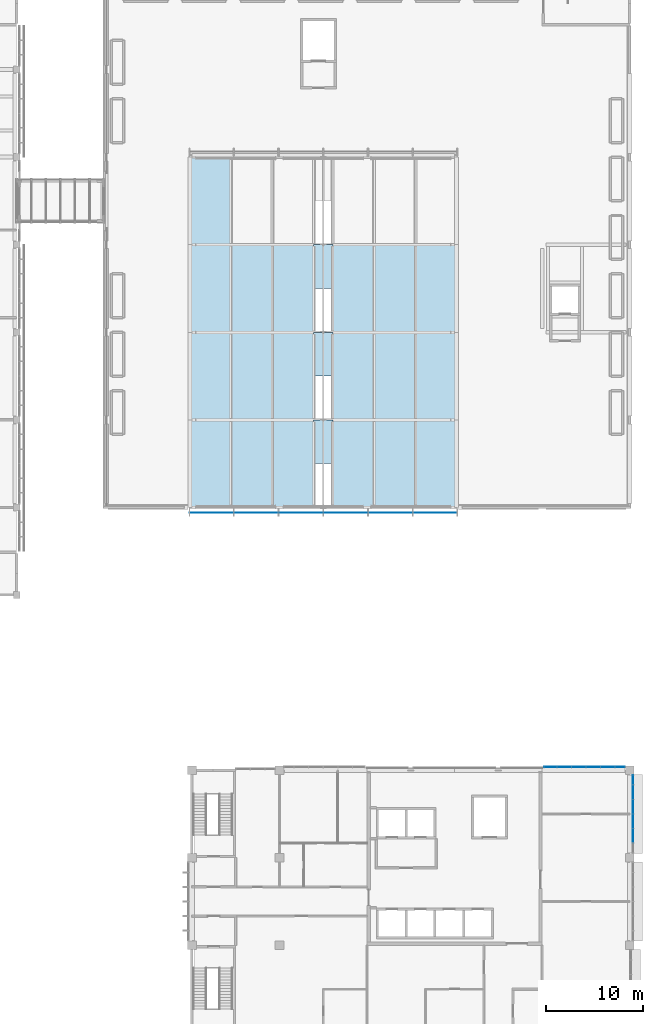
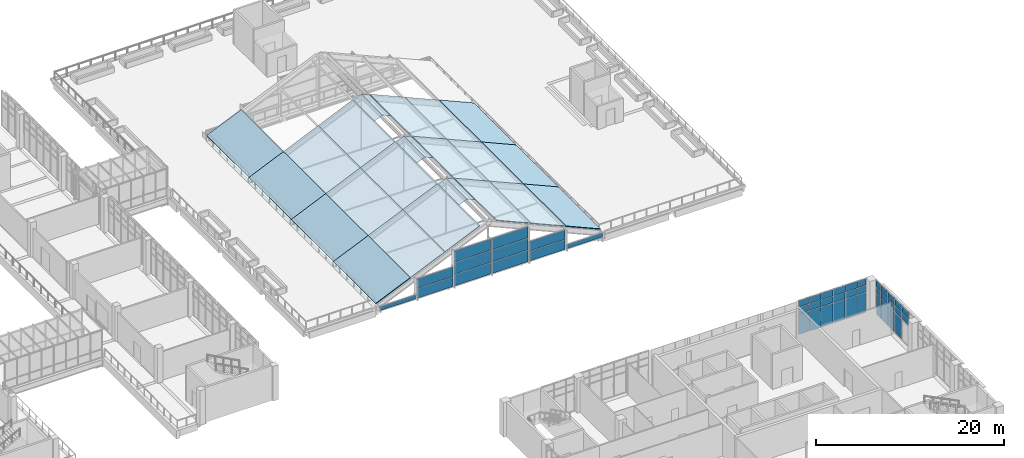
# One storey, part 64 of 106: 69 plates, 8 elements without a shape of their own.
"""IFC4 building model written with IfcOpenShell, lengths in metres."""

from ifc_helpers import new_model, si_unit, direction, frame, origin, origin_2d, place, context, subcontext, project, spatial, polyline, rectangle, outline, extrude, material, layer, layer_set, type_object, element, aggregate, save


model = new_model("IFC4")

# Units and contexts
model_context = context("Model", 3, precision=1e-05, world=origin(), true_north=direction((0.0, 1.0)))
body_context = subcontext(model_context, "Body", "Model", "MODEL_VIEW")
ifc_project = project(units=[si_unit("LENGTHUNIT", "METRE"), si_unit("AREAUNIT", "SQUARE_METRE"), si_unit("VOLUMEUNIT", "CUBIC_METRE"), si_unit("PLANEANGLEUNIT", "RADIAN"), si_unit("MASSUNIT", "GRAM", prefix="KILO")], contexts=[model_context])

# Site, building, storey
site_placement = place(None, origin())
site = spatial("IfcSite", under=ifc_project, at=site_placement, CompositionType="ELEMENT")
building_placement = place(site_placement, origin())
building = spatial("IfcBuilding", under=site, at=building_placement, Name="Guidao Yard Department Store", CompositionType="ELEMENT")
storey_placement = place(building_placement, frame((0.0, 0.0, 10.5)))
storey = spatial("IfcBuildingStorey", under=building, at=storey_placement, Name="L02", CompositionType="ELEMENT", Elevation=10.5)

# Curtain wall, plate
ifc_material_1 = material(Name="Aluminium and glass", Category="aluminium")
ifc_layer_1 = layer(ifc_material_1, 0.159912109375)
ifc_layer_set_1 = layer_set([ifc_layer_1], Name="Gable glazing CW7 1500 module")
curtain_wall_type_1 = type_object("IfcCurtainWallType", Name="Gable glazing CW7 1500 module", PredefinedType="NOTDEFINED", material=ifc_layer_set_1)
curtain_wall_1_placement = place(storey_placement, origin())
curtain_wall_1 = element("IfcCurtainWall", 1, at=curtain_wall_1_placement, inside=storey, type_object=curtain_wall_type_1, Name="Gable glazing FS1", PredefinedType="NOTDEFINED")
ifc_material_2 = material(Name="Laminated glass", Category="glass")
ifc_layer_2 = layer(ifc_material_2, 0.017578125)
ifc_layer_set_2 = layer_set([ifc_layer_2], Name="Gable glass GG1 laminated 8+8")
plate_type_1 = type_object("IfcPlateType", Name="Gable glass GG1 laminated 8+8", PredefinedType="CURTAIN_PANEL", material=ifc_layer_set_2)
plate_1_placement = place(storey_placement, frame((128.0029296875, 53.4599609375, 0.06005859375), z_axis=(0.0, 0.0, 1.0), x_axis=(-1.0, 0.0, 0.0)))
plate_1 = element("IfcPlate", 2, at=plate_1_placement, type_object=plate_type_1, Name="CW-TFS1 panel 1.1", PredefinedType="CURTAIN_PANEL", context=body_context, shape_type="SweptSolid", body=[
    extrude(rectangle(XDim=4.478759765625, YDim=0.017578125, at=origin_2d()), origin(), (0.0, 0.0, 1.0), 0.520751953125),
])
aggregate(curtain_wall_1, [plate_1])

# Curtain wall, plates
curtain_wall_2_placement = place(storey_placement, origin())
curtain_wall_2 = element("IfcCurtainWall", 3, at=curtain_wall_2_placement, inside=storey, type_object=curtain_wall_type_1, Name="Gable glazing FS2", PredefinedType="NOTDEFINED")
plate_2_placement = place(storey_placement, frame((132.601806640625, 53.4599609375, 0.06005859375), z_axis=(0.0, 0.0, 1.0), x_axis=(-1.0, 0.0, 0.0)))
plate_2 = element("IfcPlate", 4, at=plate_2_placement, type_object=plate_type_1, Name="CW-TFS2 panel 1.1", PredefinedType="CURTAIN_PANEL", context=body_context, shape_type="SweptSolid", body=[
    extrude(rectangle(XDim=4.478759765625, YDim=0.017578125, at=origin_2d()), origin(), (0.0, 0.0, 1.0), 1.24072265625),
])
plate_3_placement = place(storey_placement, frame((132.601806640625, 53.4599609375, 1.36083984375), z_axis=(0.0, 0.0, 1.0), x_axis=(-1.0, 0.0, 0.0)))
plate_3 = element("IfcPlate", 5, at=plate_3_placement, type_object=plate_type_1, Name="CW-TFS2 panel 1.2", PredefinedType="CURTAIN_PANEL", context=body_context, shape_type="SweptSolid", body=[
    extrude(rectangle(XDim=4.478759765625, YDim=0.017578125, at=origin_2d()), origin(), (0.0, 0.0, 1.0), 1.24072265625),
])
aggregate(curtain_wall_2, [plate_2, plate_3])

curtain_wall_3_placement = place(storey_placement, origin())
curtain_wall_3 = element("IfcCurtainWall", 6, at=curtain_wall_3_placement, inside=storey, type_object=curtain_wall_type_1, Name="Gable glazing FS3", PredefinedType="NOTDEFINED")
plate_4_placement = place(storey_placement, frame((137.20068359375, 53.4599609375, 0.06005859375), z_axis=(0.0, 0.0, 1.0), x_axis=(-1.0, 0.0, 0.0)))
plate_4 = element("IfcPlate", 7, at=plate_4_placement, type_object=plate_type_1, Name="CW-TFS3 panel 1.1", PredefinedType="CURTAIN_PANEL", context=body_context, shape_type="SweptSolid", body=[
    extrude(rectangle(XDim=4.478759765625, YDim=0.017578125, at=origin_2d()), origin(), (0.0, 0.0, 1.0), 1.470703125),
])
plate_5_placement = place(storey_placement, frame((137.20068359375, 53.4599609375, 1.5908203125), z_axis=(0.0, 0.0, 1.0), x_axis=(-1.0, 0.0, 0.0)))
plate_5 = element("IfcPlate", 8, at=plate_5_placement, type_object=plate_type_1, Name="CW-TFS3 panel 1.2", PredefinedType="CURTAIN_PANEL", context=body_context, shape_type="SweptSolid", body=[
    extrude(rectangle(XDim=4.478759765625, YDim=0.017578125, at=origin_2d()), origin(), (0.0, 0.0, 1.0), 1.500732421875),
])
plate_6_placement = place(storey_placement, frame((137.20068359375, 53.4599609375, 3.1513671875), z_axis=(0.0, 0.0, 1.0), x_axis=(-1.0, 0.0, 0.0)))
plate_6 = element("IfcPlate", 9, at=plate_6_placement, type_object=plate_type_1, Name="CW-TFS3 panel 1.3", PredefinedType="CURTAIN_PANEL", context=body_context, shape_type="SweptSolid", body=[
    extrude(rectangle(XDim=4.478759765625, YDim=0.017578125, at=origin_2d()), origin(), (0.0, 0.0, 1.0), 1.470703125),
])
aggregate(curtain_wall_3, [plate_4, plate_5, plate_6])

curtain_wall_4_placement = place(storey_placement, origin())
curtain_wall_4 = element("IfcCurtainWall", 10, at=curtain_wall_4_placement, inside=storey, type_object=curtain_wall_type_1, Name="Gable glazing FS4", PredefinedType="NOTDEFINED")
plate_7_placement = place(storey_placement, frame((141.79931640625, 53.4599609375, 0.06005859375), z_axis=(0.0, 0.0, 1.0), x_axis=(-1.0, 0.0, 0.0)))
plate_7 = element("IfcPlate", 11, at=plate_7_placement, type_object=plate_type_1, Name="CW-TFS4 panel 1.1", PredefinedType="CURTAIN_PANEL", context=body_context, shape_type="SweptSolid", body=[
    extrude(rectangle(XDim=4.478759765625, YDim=0.017578125, at=origin_2d()), origin(), (0.0, 0.0, 1.0), 1.470703125),
])
plate_8_placement = place(storey_placement, frame((141.79931640625, 53.4599609375, 1.5908203125), z_axis=(0.0, 0.0, 1.0), x_axis=(-1.0, 0.0, 0.0)))
plate_8 = element("IfcPlate", 12, at=plate_8_placement, type_object=plate_type_1, Name="CW-TFS4 panel 1.2", PredefinedType="CURTAIN_PANEL", context=body_context, shape_type="SweptSolid", body=[
    extrude(rectangle(XDim=4.478759765625, YDim=0.017578125, at=origin_2d()), origin(), (0.0, 0.0, 1.0), 1.500732421875),
])
plate_9_placement = place(storey_placement, frame((141.79931640625, 53.4599609375, 3.1513671875), z_axis=(0.0, 0.0, 1.0), x_axis=(-1.0, 0.0, 0.0)))
plate_9 = element("IfcPlate", 13, at=plate_9_placement, type_object=plate_type_1, Name="CW-TFS4 panel 1.3", PredefinedType="CURTAIN_PANEL", context=body_context, shape_type="SweptSolid", body=[
    extrude(rectangle(XDim=4.478759765625, YDim=0.017578125, at=origin_2d()), origin(), (0.0, 0.0, 1.0), 1.470703125),
])
aggregate(curtain_wall_4, [plate_7, plate_8, plate_9])

curtain_wall_5_placement = place(storey_placement, origin())
curtain_wall_5 = element("IfcCurtainWall", 14, at=curtain_wall_5_placement, inside=storey, type_object=curtain_wall_type_1, Name="Gable glazing FS5", PredefinedType="NOTDEFINED")
plate_10_placement = place(storey_placement, frame((146.398193359375, 53.4599609375, 0.06005859375), z_axis=(0.0, 0.0, 1.0), x_axis=(-1.0, 0.0, 0.0)))
plate_10 = element("IfcPlate", 15, at=plate_10_placement, type_object=plate_type_1, Name="CW-TFS5 panel 1.1", PredefinedType="CURTAIN_PANEL", context=body_context, shape_type="SweptSolid", body=[
    extrude(rectangle(XDim=4.478759765625, YDim=0.017578125, at=origin_2d()), origin(), (0.0, 0.0, 1.0), 1.24072265625),
])
plate_11_placement = place(storey_placement, frame((146.398193359375, 53.4599609375, 1.36083984375), z_axis=(0.0, 0.0, 1.0), x_axis=(-1.0, 0.0, 0.0)))
plate_11 = element("IfcPlate", 16, at=plate_11_placement, type_object=plate_type_1, Name="CW-TFS5 panel 1.2", PredefinedType="CURTAIN_PANEL", context=body_context, shape_type="SweptSolid", body=[
    extrude(rectangle(XDim=4.478759765625, YDim=0.017578125, at=origin_2d()), origin(), (0.0, 0.0, 1.0), 1.24072265625),
])
aggregate(curtain_wall_5, [plate_10, plate_11])

# Curtain wall, plate
curtain_wall_6_placement = place(storey_placement, origin())
curtain_wall_6 = element("IfcCurtainWall", 17, at=curtain_wall_6_placement, inside=storey, type_object=curtain_wall_type_1, Name="Gable glazing FS6", PredefinedType="NOTDEFINED")
plate_12_placement = place(storey_placement, frame((150.9970703125, 53.4599609375, 0.06005859375), z_axis=(0.0, 0.0, 1.0), x_axis=(-1.0, 0.0, 0.0)))
plate_12 = element("IfcPlate", 18, at=plate_12_placement, type_object=plate_type_1, Name="CW-TFS6 panel 1.1", PredefinedType="CURTAIN_PANEL", context=body_context, shape_type="SweptSolid", body=[
    extrude(rectangle(XDim=4.478759765625, YDim=0.017578125, at=origin_2d()), origin(), (0.0, 0.0, 1.0), 0.520751953125),
])
aggregate(curtain_wall_6, [plate_12])

# Plates
ifc_material_3 = material(Name="Laminated glass", Category="glass")
ifc_layer_3 = layer(ifc_material_3, 0.021484375)
ifc_layer_set_3 = layer_set([ifc_layer_3], Name="Roof glass RG3 laminated clear 10+10 PVB 1.52")
plate_type_2 = type_object("IfcPlateType", Name="Roof glass RG3 laminated clear 10+10 PVB 1.52", PredefinedType="SHEET", material=ifc_layer_set_3)
for number, where, z_axis, x_axis, name in (
    (19, (138.491455078125, 58.5, 6.282958984375), (-0.40231911505, 0.0, 0.915499497359), (0.915499497359, 0.0, 0.40231911505), "Roof glass F01-04B"),
    (20, (139.491455078125, 58.5, 6.722412109375), (0.40231911505, 0.0, 0.915499497359), (0.915499497359, 0.0, -0.40231911505), "Roof glass F01-05B"),
    (21, (138.491455078125, 67.5, 6.282958984375), (-0.40231911505, 0.0, 0.915499497359), (0.915499497359, 0.0, 0.40231911505), "Roof glass F02-04B"),
    (22, (139.491455078125, 67.5, 6.722412109375), (0.40231911505, 0.0, 0.915499497359), (0.915499497359, 0.0, -0.40231911505), "Roof glass F02-05B"),
    (23, (138.491455078125, 76.5, 6.282958984375), (-0.40231911505, 0.0, 0.915499497359), (0.915499497359, 0.0, 0.40231911505), "Roof glass F03-04B"),
    (24, (139.491455078125, 76.5, 6.722412109375), (0.40231911505, 0.0, 0.915499497359), (0.915499497359, 0.0, -0.40231911505), "Roof glass F03-05B"),
):
    element("IfcPlate", number, at=place(storey_placement, frame(where, z_axis=z_axis, x_axis=x_axis)), inside=storey, type_object=plate_type_2, Name=name, PredefinedType="SHEET", context=body_context, shape_type="SweptSolid", body=[
        extrude(outline(polyline([(0.0, 0.0), (1.0922998897153957, 0.0), (1.0922998897153957, 4.5), (0.0, 4.5), (0.0, 0.0)])), origin(), (0.0, 0.0, -1.0), 0.021484375),
    ])
ifc_material_4 = material(Name="Standing seam steel roofing", Category="steel")
ifc_layer_4 = layer(ifc_material_4, 0.10009765625)
ifc_layer_set_4 = layer_set([ifc_layer_4], Name="Roof plate RP2 standing seam steel on 100 mm insulation")
plate_type_3 = type_object("IfcPlateType", Name="Roof plate RP2 standing seam steel on 100 mm insulation", PredefinedType="SHEET", material=ifc_layer_set_4)
plate_13_placement = place(storey_placement, frame((125.6630859375, 54.0, 0.732421875), z_axis=(-0.402269706777, 0.0, 0.915521208389), x_axis=(0.915521208389, 0.0, 0.402269706777)))
element("IfcPlate", 25, at=plate_13_placement, inside=storey, type_object=plate_type_3, Name="Roof panel F01-01", PredefinedType="SHEET", context=body_context, shape_type="SweptSolid", body=[
    extrude(outline(polyline([(0.0, 0.0), (4.659231223607126, 0.0), (4.659231223607126, 9.0), (0.0, 9.0), (0.0, 0.0)])), origin(), (0.0, 0.0, -1.0), 0.10009765625),
])
plate_14_placement = place(storey_placement, frame((129.9287109375, 54.0, 2.606689453125), z_axis=(-0.40222578536, 0.0, 0.915540505708), x_axis=(0.915540505708, 0.0, 0.40222578536)))
element("IfcPlate", 26, at=plate_14_placement, inside=storey, type_object=plate_type_3, Name="Roof panel F01-02", PredefinedType="SHEET", context=body_context, shape_type="SweptSolid", body=[
    extrude(outline(polyline([(0.0, 0.0), (4.659133018590939, 0.0), (4.659133018590939, 9.0), (0.0, 9.0), (0.0, 0.0)])), origin(), (0.0, 0.0, -1.0), 0.10009765625),
])
for number, where, z_axis, x_axis, name in (
    (27, (134.1943359375, 54.0, 4.480712890625), (-0.402289005579, 0.0, 0.91551272847), (0.91551272847, 0.0, 0.402289005579), "Roof panel F01-03"),
    (28, (140.540283203125, 54.0, 6.35498046875), (0.402289005579, 0.0, 0.91551272847), (0.91551272847, 0.0, -0.402289005579), "Roof panel F01-06"),
):
    element("IfcPlate", number, at=place(storey_placement, frame(where, z_axis=z_axis, x_axis=x_axis)), inside=storey, type_object=plate_type_3, Name=name, PredefinedType="SHEET", context=body_context, shape_type="SweptSolid", body=[
        extrude(outline(polyline([(0.0, 0.0), (4.659007708722231, 0.0), (4.659007708722231, 9.0), (0.0, 9.0), (0.0, 0.0)])), origin(), (0.0, 0.0, -1.0), 0.10009765625),
    ])
plate_15_placement = place(storey_placement, frame((144.8056640625, 54.0, 4.480712890625), z_axis=(0.40222578536, 0.0, 0.915540505708), x_axis=(0.915540505708, 0.0, -0.40222578536)))
element("IfcPlate", 29, at=plate_15_placement, inside=storey, type_object=plate_type_3, Name="Roof panel F01-07", PredefinedType="SHEET", context=body_context, shape_type="SweptSolid", body=[
    extrude(outline(polyline([(0.0, 0.0), (4.659133018590939, 0.0), (4.659133018590939, 9.0), (0.0, 9.0), (0.0, 0.0)])), origin(), (0.0, 0.0, -1.0), 0.10009765625),
])
for number, where, z_axis, x_axis, name in (
    (30, (149.0712890625, 54.0, 2.606689453125), (0.402269706777, 0.0, 0.915521208389), (0.915521208389, 0.0, -0.402269706777), "Roof panel F01-08"),
    (31, (125.6630859375, 63.0, 0.732421875), (-0.402269706777, 0.0, 0.915521208389), (0.915521208389, 0.0, 0.402269706777), "Roof panel F02-01"),
):
    element("IfcPlate", number, at=place(storey_placement, frame(where, z_axis=z_axis, x_axis=x_axis)), inside=storey, type_object=plate_type_3, Name=name, PredefinedType="SHEET", context=body_context, shape_type="SweptSolid", body=[
        extrude(outline(polyline([(0.0, 0.0), (4.659231223607126, 0.0), (4.659231223607126, 9.0), (0.0, 9.0), (0.0, 0.0)])), origin(), (0.0, 0.0, -1.0), 0.10009765625),
    ])
plate_16_placement = place(storey_placement, frame((129.9287109375, 63.0, 2.606689453125), z_axis=(-0.40222578536, 0.0, 0.915540505708), x_axis=(0.915540505708, 0.0, 0.40222578536)))
element("IfcPlate", 32, at=plate_16_placement, inside=storey, type_object=plate_type_3, Name="Roof panel F02-02", PredefinedType="SHEET", context=body_context, shape_type="SweptSolid", body=[
    extrude(outline(polyline([(0.0, 0.0), (4.659133018590939, 0.0), (4.659133018590939, 9.0), (0.0, 9.0), (0.0, 0.0)])), origin(), (0.0, 0.0, -1.0), 0.10009765625),
])
for number, where, z_axis, x_axis, name in (
    (33, (134.1943359375, 63.0, 4.480712890625), (-0.402289005579, 0.0, 0.91551272847), (0.91551272847, 0.0, 0.402289005579), "Roof panel F02-03"),
    (34, (140.540283203125, 63.0, 6.35498046875), (0.402289005579, 0.0, 0.91551272847), (0.91551272847, 0.0, -0.402289005579), "Roof panel F02-06"),
):
    element("IfcPlate", number, at=place(storey_placement, frame(where, z_axis=z_axis, x_axis=x_axis)), inside=storey, type_object=plate_type_3, Name=name, PredefinedType="SHEET", context=body_context, shape_type="SweptSolid", body=[
        extrude(outline(polyline([(0.0, 0.0), (4.659007708722231, 0.0), (4.659007708722231, 9.0), (0.0, 9.0), (0.0, 0.0)])), origin(), (0.0, 0.0, -1.0), 0.10009765625),
    ])
plate_17_placement = place(storey_placement, frame((144.8056640625, 63.0, 4.480712890625), z_axis=(0.40222578536, 0.0, 0.915540505708), x_axis=(0.915540505708, 0.0, -0.40222578536)))
element("IfcPlate", 35, at=plate_17_placement, inside=storey, type_object=plate_type_3, Name="Roof panel F02-07", PredefinedType="SHEET", context=body_context, shape_type="SweptSolid", body=[
    extrude(outline(polyline([(0.0, 0.0), (4.659133018590939, 0.0), (4.659133018590939, 9.0), (0.0, 9.0), (0.0, 0.0)])), origin(), (0.0, 0.0, -1.0), 0.10009765625),
])
for number, where, z_axis, x_axis, name in (
    (36, (149.0712890625, 63.0, 2.606689453125), (0.402269706777, 0.0, 0.915521208389), (0.915521208389, 0.0, -0.402269706777), "Roof panel F02-08"),
    (37, (125.6630859375, 72.0, 0.732421875), (-0.402269706777, 0.0, 0.915521208389), (0.915521208389, 0.0, 0.402269706777), "Roof panel F03-01"),
):
    element("IfcPlate", number, at=place(storey_placement, frame(where, z_axis=z_axis, x_axis=x_axis)), inside=storey, type_object=plate_type_3, Name=name, PredefinedType="SHEET", context=body_context, shape_type="SweptSolid", body=[
        extrude(outline(polyline([(0.0, 0.0), (4.659231223607126, 0.0), (4.659231223607126, 9.0), (0.0, 9.0), (0.0, 0.0)])), origin(), (0.0, 0.0, -1.0), 0.10009765625),
    ])
plate_18_placement = place(storey_placement, frame((129.9287109375, 72.0, 2.606689453125), z_axis=(-0.40222578536, 0.0, 0.915540505708), x_axis=(0.915540505708, 0.0, 0.40222578536)))
element("IfcPlate", 38, at=plate_18_placement, inside=storey, type_object=plate_type_3, Name="Roof panel F03-02", PredefinedType="SHEET", context=body_context, shape_type="SweptSolid", body=[
    extrude(outline(polyline([(0.0, 0.0), (4.659133018590939, 0.0), (4.659133018590939, 9.0), (0.0, 9.0), (0.0, 0.0)])), origin(), (0.0, 0.0, -1.0), 0.10009765625),
])
for number, where, z_axis, x_axis, name in (
    (39, (134.1943359375, 72.0, 4.480712890625), (-0.402289005579, 0.0, 0.91551272847), (0.91551272847, 0.0, 0.402289005579), "Roof panel F03-03"),
    (40, (140.540283203125, 72.0, 6.35498046875), (0.402289005579, 0.0, 0.91551272847), (0.91551272847, 0.0, -0.402289005579), "Roof panel F03-06"),
):
    element("IfcPlate", number, at=place(storey_placement, frame(where, z_axis=z_axis, x_axis=x_axis)), inside=storey, type_object=plate_type_3, Name=name, PredefinedType="SHEET", context=body_context, shape_type="SweptSolid", body=[
        extrude(outline(polyline([(0.0, 0.0), (4.659007708722231, 0.0), (4.659007708722231, 9.0), (0.0, 9.0), (0.0, 0.0)])), origin(), (0.0, 0.0, -1.0), 0.10009765625),
    ])
plate_19_placement = place(storey_placement, frame((144.8056640625, 72.0, 4.480712890625), z_axis=(0.40222578536, 0.0, 0.915540505708), x_axis=(0.915540505708, 0.0, -0.40222578536)))
element("IfcPlate", 41, at=plate_19_placement, inside=storey, type_object=plate_type_3, Name="Roof panel F03-07", PredefinedType="SHEET", context=body_context, shape_type="SweptSolid", body=[
    extrude(outline(polyline([(0.0, 0.0), (4.659133018590939, 0.0), (4.659133018590939, 9.0), (0.0, 9.0), (0.0, 0.0)])), origin(), (0.0, 0.0, -1.0), 0.10009765625),
])
for number, where, z_axis, x_axis, name in (
    (42, (149.0712890625, 72.0, 2.606689453125), (0.402269706777, 0.0, 0.915521208389), (0.915521208389, 0.0, -0.402269706777), "Roof panel F03-08"),
    (43, (125.6630859375, 81.0, 0.732421875), (-0.402269706777, 0.0, 0.915521208389), (0.915521208389, 0.0, 0.402269706777), "Roof panel F04-01"),
):
    element("IfcPlate", number, at=place(storey_placement, frame(where, z_axis=z_axis, x_axis=x_axis)), inside=storey, type_object=plate_type_3, Name=name, PredefinedType="SHEET", context=body_context, shape_type="SweptSolid", body=[
        extrude(outline(polyline([(0.0, 0.0), (4.659231223607126, 0.0), (4.659231223607126, 9.0), (0.0, 9.0), (0.0, 0.0)])), origin(), (0.0, 0.0, -1.0), 0.10009765625),
    ])

# Curtain wall, plates
ifc_material_5 = material(Name="Aluminium and glass", Category="aluminium")
ifc_layer_5 = layer(ifc_material_5, 0.159912109375)
ifc_layer_set_5 = layer_set([ifc_layer_5], Name="Unitised curtain wall CW4 1500 module")
curtain_wall_type_2 = type_object("IfcCurtainWallType", Name="Unitised curtain wall CW4 1500 module", PredefinedType="NOTDEFINED", material=ifc_layer_set_5)
curtain_wall_7_placement = place(storey_placement, origin())
curtain_wall_7 = element("IfcCurtainWall", 44, at=curtain_wall_7_placement, inside=storey, type_object=curtain_wall_type_2, Name="Unitised curtain wall", PredefinedType="NOTDEFINED")
ifc_material_6 = material(Name="Aluminium 6063-T5 faced insulated spandrel", Category="aluminium")
ifc_layer_6 = layer(ifc_material_6, 0.06005859375)
ifc_layer_set_6 = layer_set([ifc_layer_6], Name="Spandrel panel SP1 insulated opaque")
plate_type_4 = type_object("IfcPlateType", Name="Spandrel panel SP1 insulated opaque", PredefinedType="CURTAIN_PANEL", material=ifc_layer_set_6)
plate_20_placement = place(storey_placement, frame((162.8525390625, 27.330078125, 3.6298828125), z_axis=(0.0, 0.0, 1.0), x_axis=(1.0, 0.0, 0.0)))
plate_20 = element("IfcPlate", 45, at=plate_20_placement, type_object=plate_type_4, Name="CW-OW-L02-08 panel 1.3", PredefinedType="CURTAIN_PANEL", context=body_context, shape_type="SweptSolid", body=[
    extrude(rectangle(XDim=1.235107421875, YDim=0.06005859375, at=origin_2d()), origin(), (0.0, 0.0, 1.0), 0.81005859375),
])
plate_21_placement = place(storey_placement, frame((164.25, 27.330078125, 3.6298828125), z_axis=(0.0, 0.0, 1.0), x_axis=(1.0, 0.0, 0.0)))
plate_21 = element("IfcPlate", 46, at=plate_21_placement, type_object=plate_type_4, Name="CW-OW-L02-08 panel 2.3", PredefinedType="CURTAIN_PANEL", context=body_context, shape_type="SweptSolid", body=[
    extrude(rectangle(XDim=1.43994140625, YDim=0.06005859375, at=origin_2d()), origin(), (0.0, 0.0, 1.0), 0.81005859375),
])
plate_22_placement = place(storey_placement, frame((165.75, 27.330078125, 3.6298828125), z_axis=(0.0, 0.0, 1.0), x_axis=(1.0, 0.0, 0.0)))
plate_22 = element("IfcPlate", 47, at=plate_22_placement, type_object=plate_type_4, Name="CW-OW-L02-08 panel 3.3", PredefinedType="CURTAIN_PANEL", context=body_context, shape_type="SweptSolid", body=[
    extrude(rectangle(XDim=1.43994140625, YDim=0.06005859375, at=origin_2d()), origin(), (0.0, 0.0, 1.0), 0.81005859375),
])
plate_23_placement = place(storey_placement, frame((167.25, 27.330078125, 3.6298828125), z_axis=(0.0, 0.0, 1.0), x_axis=(1.0, 0.0, 0.0)))
plate_23 = element("IfcPlate", 48, at=plate_23_placement, type_object=plate_type_4, Name="CW-OW-L02-08 panel 4.3", PredefinedType="CURTAIN_PANEL", context=body_context, shape_type="SweptSolid", body=[
    extrude(rectangle(XDim=1.43994140625, YDim=0.06005859375, at=origin_2d()), origin(), (0.0, 0.0, 1.0), 0.81005859375),
])
plate_24_placement = place(storey_placement, frame((168.75, 27.330078125, 3.6298828125), z_axis=(0.0, 0.0, 1.0), x_axis=(1.0, 0.0, 0.0)))
plate_24 = element("IfcPlate", 49, at=plate_24_placement, type_object=plate_type_4, Name="CW-OW-L02-08 panel 5.3", PredefinedType="CURTAIN_PANEL", context=body_context, shape_type="SweptSolid", body=[
    extrude(rectangle(XDim=1.43994140625, YDim=0.06005859375, at=origin_2d()), origin(), (0.0, 0.0, 1.0), 0.81005859375),
])
plate_25_placement = place(storey_placement, frame((170.010009765625, 27.330078125, 3.6298828125), z_axis=(0.0, 0.0, 1.0), x_axis=(1.0, 0.0, 0.0)))
plate_25 = element("IfcPlate", 50, at=plate_25_placement, type_object=plate_type_4, Name="CW-OW-L02-08 panel 6.3", PredefinedType="CURTAIN_PANEL", context=body_context, shape_type="SweptSolid", body=[
    extrude(rectangle(XDim=0.9599609375, YDim=0.06005859375, at=origin_2d()), origin(), (0.0, 0.0, 1.0), 0.81005859375),
])

curtain_wall_8_placement = place(storey_placement, origin())
curtain_wall_8 = element("IfcCurtainWall", 51, at=curtain_wall_8_placement, inside=storey, type_object=curtain_wall_type_2, Name="Unitised curtain wall", PredefinedType="NOTDEFINED")
plate_26_placement = place(storey_placement, frame((171.330078125, 20.25, 3.6298828125), z_axis=(0.0, 0.0, 1.0), x_axis=(0.0, -1.0, 0.0)))
plate_26 = element("IfcPlate", 52, at=plate_26_placement, type_object=plate_type_4, Name="CW-OW-L02-11 panel 2.3", PredefinedType="CURTAIN_PANEL", context=body_context, shape_type="SweptSolid", body=[
    extrude(rectangle(XDim=1.43994140625, YDim=0.06005859375, at=origin_2d()), origin(), (0.0, 0.0, 1.0), 0.81005859375),
])
plate_27_placement = place(storey_placement, frame((171.330078125, 21.75, 3.6298828125), z_axis=(0.0, 0.0, 1.0), x_axis=(0.0, -1.0, 0.0)))
plate_27 = element("IfcPlate", 53, at=plate_27_placement, type_object=plate_type_4, Name="CW-OW-L02-11 panel 3.3", PredefinedType="CURTAIN_PANEL", context=body_context, shape_type="SweptSolid", body=[
    extrude(rectangle(XDim=1.43994140625, YDim=0.06005859375, at=origin_2d()), origin(), (0.0, 0.0, 1.0), 0.81005859375),
])
plate_28_placement = place(storey_placement, frame((171.330078125, 23.25, 3.6298828125), z_axis=(0.0, 0.0, 1.0), x_axis=(0.0, -1.0, 0.0)))
plate_28 = element("IfcPlate", 54, at=plate_28_placement, type_object=plate_type_4, Name="CW-OW-L02-11 panel 4.3", PredefinedType="CURTAIN_PANEL", context=body_context, shape_type="SweptSolid", body=[
    extrude(rectangle(XDim=1.43994140625, YDim=0.06005859375, at=origin_2d()), origin(), (0.0, 0.0, 1.0), 0.81005859375),
])
plate_29_placement = place(storey_placement, frame((171.330078125, 24.75, 3.6298828125), z_axis=(0.0, 0.0, 1.0), x_axis=(0.0, -1.0, 0.0)))
plate_29 = element("IfcPlate", 55, at=plate_29_placement, type_object=plate_type_4, Name="CW-OW-L02-11 panel 5.3", PredefinedType="CURTAIN_PANEL", context=body_context, shape_type="SweptSolid", body=[
    extrude(rectangle(XDim=1.43994140625, YDim=0.06005859375, at=origin_2d()), origin(), (0.0, 0.0, 1.0), 0.81005859375),
])
plate_30_placement = place(storey_placement, frame((171.330078125, 26.010009765625, 3.6298828125), z_axis=(0.0, 0.0, 1.0), x_axis=(0.0, -1.0, 0.0)))
plate_30 = element("IfcPlate", 56, at=plate_30_placement, type_object=plate_type_4, Name="CW-OW-L02-11 panel 6.3", PredefinedType="CURTAIN_PANEL", context=body_context, shape_type="SweptSolid", body=[
    extrude(rectangle(XDim=0.9599609375, YDim=0.06005859375, at=origin_2d()), origin(), (0.0, 0.0, 1.0), 0.81005859375),
])

# Plate
ifc_material_7 = material(Name="Laminated heat-soaked tempered glass", Category="glass")
ifc_layer_7 = layer(ifc_material_7, 0.017578125)
ifc_layer_set_7 = layer_set([ifc_layer_7], Name="Vision glass VG1 laminated heat-soaked tempered 8+8")
plate_type_5 = type_object("IfcPlateType", Name="Vision glass VG1 laminated heat-soaked tempered 8+8", PredefinedType="CURTAIN_PANEL", material=ifc_layer_set_7)
plate_31_placement = place(storey_placement, frame((162.8525390625, 27.330078125, 0.06005859375), z_axis=(0.0, 0.0, 1.0), x_axis=(1.0, 0.0, 0.0)))
plate_31 = element("IfcPlate", 57, at=plate_31_placement, type_object=plate_type_5, Name="CW-OW-L02-08 panel 1.1", PredefinedType="CURTAIN_PANEL", context=body_context, shape_type="SweptSolid", body=[
    extrude(rectangle(XDim=1.235107421875, YDim=0.017578125, at=origin_2d()), origin(), (0.0, 0.0, 1.0), 2.610107421875),
])

plate_32_placement = place(storey_placement, frame((162.8525390625, 27.330078125, 2.72998046875), z_axis=(0.0, 0.0, 1.0), x_axis=(1.0, 0.0, 0.0)))
plate_32 = element("IfcPlate", 58, at=plate_32_placement, type_object=plate_type_5, Name="CW-OW-L02-08 panel 1.2", PredefinedType="CURTAIN_PANEL", context=body_context, shape_type="SweptSolid", body=[
    extrude(rectangle(XDim=1.235107421875, YDim=0.017578125, at=origin_2d()), origin(), (0.0, 0.0, 1.0), 0.840087890625),
])

plate_33_placement = place(storey_placement, frame((164.25, 27.330078125, 0.06005859375), z_axis=(0.0, 0.0, 1.0), x_axis=(1.0, 0.0, 0.0)))
plate_33 = element("IfcPlate", 59, at=plate_33_placement, type_object=plate_type_5, Name="CW-OW-L02-08 panel 2.1", PredefinedType="CURTAIN_PANEL", context=body_context, shape_type="SweptSolid", body=[
    extrude(rectangle(XDim=1.43994140625, YDim=0.017578125, at=origin_2d()), origin(), (0.0, 0.0, 1.0), 2.610107421875),
])

plate_34_placement = place(storey_placement, frame((164.25, 27.330078125, 2.72998046875), z_axis=(0.0, 0.0, 1.0), x_axis=(1.0, 0.0, 0.0)))
plate_34 = element("IfcPlate", 60, at=plate_34_placement, type_object=plate_type_5, Name="CW-OW-L02-08 panel 2.2", PredefinedType="CURTAIN_PANEL", context=body_context, shape_type="SweptSolid", body=[
    extrude(rectangle(XDim=1.43994140625, YDim=0.017578125, at=origin_2d()), origin(), (0.0, 0.0, 1.0), 0.840087890625),
])

plate_35_placement = place(storey_placement, frame((165.75, 27.330078125, 0.06005859375), z_axis=(0.0, 0.0, 1.0), x_axis=(1.0, 0.0, 0.0)))
plate_35 = element("IfcPlate", 61, at=plate_35_placement, type_object=plate_type_5, Name="CW-OW-L02-08 panel 3.1", PredefinedType="CURTAIN_PANEL", context=body_context, shape_type="SweptSolid", body=[
    extrude(rectangle(XDim=1.43994140625, YDim=0.017578125, at=origin_2d()), origin(), (0.0, 0.0, 1.0), 2.610107421875),
])

plate_36_placement = place(storey_placement, frame((165.75, 27.330078125, 2.72998046875), z_axis=(0.0, 0.0, 1.0), x_axis=(1.0, 0.0, 0.0)))
plate_36 = element("IfcPlate", 62, at=plate_36_placement, type_object=plate_type_5, Name="CW-OW-L02-08 panel 3.2", PredefinedType="CURTAIN_PANEL", context=body_context, shape_type="SweptSolid", body=[
    extrude(rectangle(XDim=1.43994140625, YDim=0.017578125, at=origin_2d()), origin(), (0.0, 0.0, 1.0), 0.840087890625),
])

plate_37_placement = place(storey_placement, frame((167.25, 27.330078125, 0.06005859375), z_axis=(0.0, 0.0, 1.0), x_axis=(1.0, 0.0, 0.0)))
plate_37 = element("IfcPlate", 63, at=plate_37_placement, type_object=plate_type_5, Name="CW-OW-L02-08 panel 4.1", PredefinedType="CURTAIN_PANEL", context=body_context, shape_type="SweptSolid", body=[
    extrude(rectangle(XDim=1.43994140625, YDim=0.017578125, at=origin_2d()), origin(), (0.0, 0.0, 1.0), 2.610107421875),
])

plate_38_placement = place(storey_placement, frame((167.25, 27.330078125, 2.72998046875), z_axis=(0.0, 0.0, 1.0), x_axis=(1.0, 0.0, 0.0)))
plate_38 = element("IfcPlate", 64, at=plate_38_placement, type_object=plate_type_5, Name="CW-OW-L02-08 panel 4.2", PredefinedType="CURTAIN_PANEL", context=body_context, shape_type="SweptSolid", body=[
    extrude(rectangle(XDim=1.43994140625, YDim=0.017578125, at=origin_2d()), origin(), (0.0, 0.0, 1.0), 0.840087890625),
])

plate_39_placement = place(storey_placement, frame((168.75, 27.330078125, 0.06005859375), z_axis=(0.0, 0.0, 1.0), x_axis=(1.0, 0.0, 0.0)))
plate_39 = element("IfcPlate", 65, at=plate_39_placement, type_object=plate_type_5, Name="CW-OW-L02-08 panel 5.1", PredefinedType="CURTAIN_PANEL", context=body_context, shape_type="SweptSolid", body=[
    extrude(rectangle(XDim=1.43994140625, YDim=0.017578125, at=origin_2d()), origin(), (0.0, 0.0, 1.0), 2.610107421875),
])

plate_40_placement = place(storey_placement, frame((168.75, 27.330078125, 2.72998046875), z_axis=(0.0, 0.0, 1.0), x_axis=(1.0, 0.0, 0.0)))
plate_40 = element("IfcPlate", 66, at=plate_40_placement, type_object=plate_type_5, Name="CW-OW-L02-08 panel 5.2", PredefinedType="CURTAIN_PANEL", context=body_context, shape_type="SweptSolid", body=[
    extrude(rectangle(XDim=1.43994140625, YDim=0.017578125, at=origin_2d()), origin(), (0.0, 0.0, 1.0), 0.840087890625),
])

plate_41_placement = place(storey_placement, frame((170.010009765625, 27.330078125, 0.06005859375), z_axis=(0.0, 0.0, 1.0), x_axis=(1.0, 0.0, 0.0)))
plate_41 = element("IfcPlate", 67, at=plate_41_placement, type_object=plate_type_5, Name="CW-OW-L02-08 panel 6.1", PredefinedType="CURTAIN_PANEL", context=body_context, shape_type="SweptSolid", body=[
    extrude(rectangle(XDim=0.9599609375, YDim=0.017578125, at=origin_2d()), origin(), (0.0, 0.0, 1.0), 2.610107421875),
])

plate_42_placement = place(storey_placement, frame((170.010009765625, 27.330078125, 2.72998046875), z_axis=(0.0, 0.0, 1.0), x_axis=(1.0, 0.0, 0.0)))
plate_42 = element("IfcPlate", 68, at=plate_42_placement, type_object=plate_type_5, Name="CW-OW-L02-08 panel 6.2", PredefinedType="CURTAIN_PANEL", context=body_context, shape_type="SweptSolid", body=[
    extrude(rectangle(XDim=0.9599609375, YDim=0.017578125, at=origin_2d()), origin(), (0.0, 0.0, 1.0), 0.840087890625),
])

aggregate(curtain_wall_7, [plate_31, plate_32, plate_20, plate_33, plate_34, plate_21, plate_35, plate_36, plate_22, plate_37, plate_38, plate_23, plate_39, plate_40, plate_24, plate_41, plate_42, plate_25])

plate_43_placement = place(storey_placement, frame((171.330078125, 20.25, 2.72998046875), z_axis=(0.0, 0.0, 1.0), x_axis=(0.0, -1.0, 0.0)))
plate_43 = element("IfcPlate", 69, at=plate_43_placement, type_object=plate_type_5, Name="CW-OW-L02-11 panel 2.2", PredefinedType="CURTAIN_PANEL", context=body_context, shape_type="SweptSolid", body=[
    extrude(rectangle(XDim=1.43994140625, YDim=0.017578125, at=origin_2d()), origin(), (0.0, 0.0, 1.0), 0.840087890625),
])

plate_44_placement = place(storey_placement, frame((171.330078125, 21.75, 0.06005859375), z_axis=(0.0, 0.0, 1.0), x_axis=(0.0, -1.0, 0.0)))
plate_44 = element("IfcPlate", 70, at=plate_44_placement, type_object=plate_type_5, Name="CW-OW-L02-11 panel 3.1", PredefinedType="CURTAIN_PANEL", context=body_context, shape_type="SweptSolid", body=[
    extrude(rectangle(XDim=1.43994140625, YDim=0.017578125, at=origin_2d()), origin(), (0.0, 0.0, 1.0), 2.610107421875),
])

plate_45_placement = place(storey_placement, frame((171.330078125, 21.75, 2.72998046875), z_axis=(0.0, 0.0, 1.0), x_axis=(0.0, -1.0, 0.0)))
plate_45 = element("IfcPlate", 71, at=plate_45_placement, type_object=plate_type_5, Name="CW-OW-L02-11 panel 3.2", PredefinedType="CURTAIN_PANEL", context=body_context, shape_type="SweptSolid", body=[
    extrude(rectangle(XDim=1.43994140625, YDim=0.017578125, at=origin_2d()), origin(), (0.0, 0.0, 1.0), 0.840087890625),
])

plate_46_placement = place(storey_placement, frame((171.330078125, 23.25, 0.06005859375), z_axis=(0.0, 0.0, 1.0), x_axis=(0.0, -1.0, 0.0)))
plate_46 = element("IfcPlate", 72, at=plate_46_placement, type_object=plate_type_5, Name="CW-OW-L02-11 panel 4.1", PredefinedType="CURTAIN_PANEL", context=body_context, shape_type="SweptSolid", body=[
    extrude(rectangle(XDim=1.43994140625, YDim=0.017578125, at=origin_2d()), origin(), (0.0, 0.0, 1.0), 2.610107421875),
])

plate_47_placement = place(storey_placement, frame((171.330078125, 23.25, 2.72998046875), z_axis=(0.0, 0.0, 1.0), x_axis=(0.0, -1.0, 0.0)))
plate_47 = element("IfcPlate", 73, at=plate_47_placement, type_object=plate_type_5, Name="CW-OW-L02-11 panel 4.2", PredefinedType="CURTAIN_PANEL", context=body_context, shape_type="SweptSolid", body=[
    extrude(rectangle(XDim=1.43994140625, YDim=0.017578125, at=origin_2d()), origin(), (0.0, 0.0, 1.0), 0.840087890625),
])

plate_48_placement = place(storey_placement, frame((171.330078125, 24.75, 0.06005859375), z_axis=(0.0, 0.0, 1.0), x_axis=(0.0, -1.0, 0.0)))
plate_48 = element("IfcPlate", 74, at=plate_48_placement, type_object=plate_type_5, Name="CW-OW-L02-11 panel 5.1", PredefinedType="CURTAIN_PANEL", context=body_context, shape_type="SweptSolid", body=[
    extrude(rectangle(XDim=1.43994140625, YDim=0.017578125, at=origin_2d()), origin(), (0.0, 0.0, 1.0), 2.610107421875),
])

plate_49_placement = place(storey_placement, frame((171.330078125, 24.75, 2.72998046875), z_axis=(0.0, 0.0, 1.0), x_axis=(0.0, -1.0, 0.0)))
plate_49 = element("IfcPlate", 75, at=plate_49_placement, type_object=plate_type_5, Name="CW-OW-L02-11 panel 5.2", PredefinedType="CURTAIN_PANEL", context=body_context, shape_type="SweptSolid", body=[
    extrude(rectangle(XDim=1.43994140625, YDim=0.017578125, at=origin_2d()), origin(), (0.0, 0.0, 1.0), 0.840087890625),
])

plate_50_placement = place(storey_placement, frame((171.330078125, 26.010009765625, 0.06005859375), z_axis=(0.0, 0.0, 1.0), x_axis=(0.0, -1.0, 0.0)))
plate_50 = element("IfcPlate", 76, at=plate_50_placement, type_object=plate_type_5, Name="CW-OW-L02-11 panel 6.1", PredefinedType="CURTAIN_PANEL", context=body_context, shape_type="SweptSolid", body=[
    extrude(rectangle(XDim=0.9599609375, YDim=0.017578125, at=origin_2d()), origin(), (0.0, 0.0, 1.0), 2.610107421875),
])

plate_51_placement = place(storey_placement, frame((171.330078125, 26.010009765625, 2.72998046875), z_axis=(0.0, 0.0, 1.0), x_axis=(0.0, -1.0, 0.0)))
plate_51 = element("IfcPlate", 77, at=plate_51_placement, type_object=plate_type_5, Name="CW-OW-L02-11 panel 6.2", PredefinedType="CURTAIN_PANEL", context=body_context, shape_type="SweptSolid", body=[
    extrude(rectangle(XDim=0.9599609375, YDim=0.017578125, at=origin_2d()), origin(), (0.0, 0.0, 1.0), 0.840087890625),
])

aggregate(curtain_wall_8, [plate_43, plate_26, plate_44, plate_45, plate_27, plate_46, plate_47, plate_28, plate_48, plate_49, plate_29, plate_50, plate_51, plate_30])

save(model, "model.ifc")
